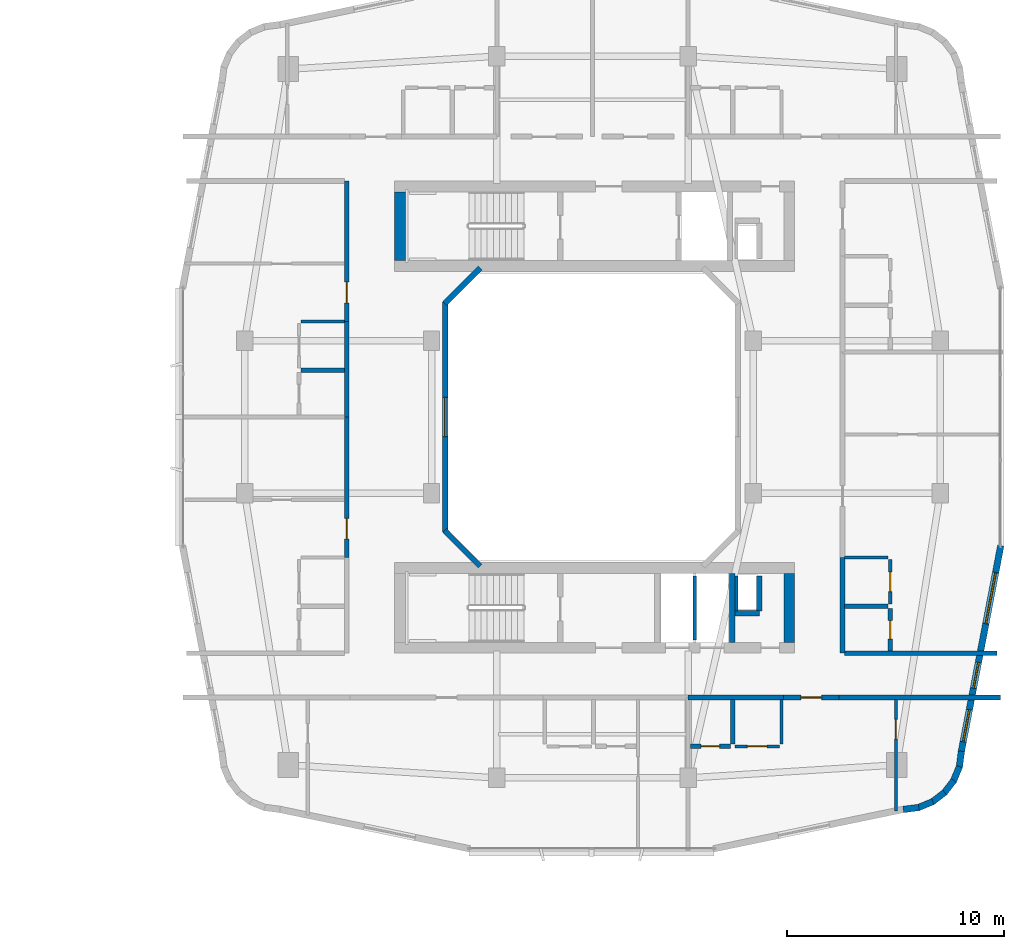
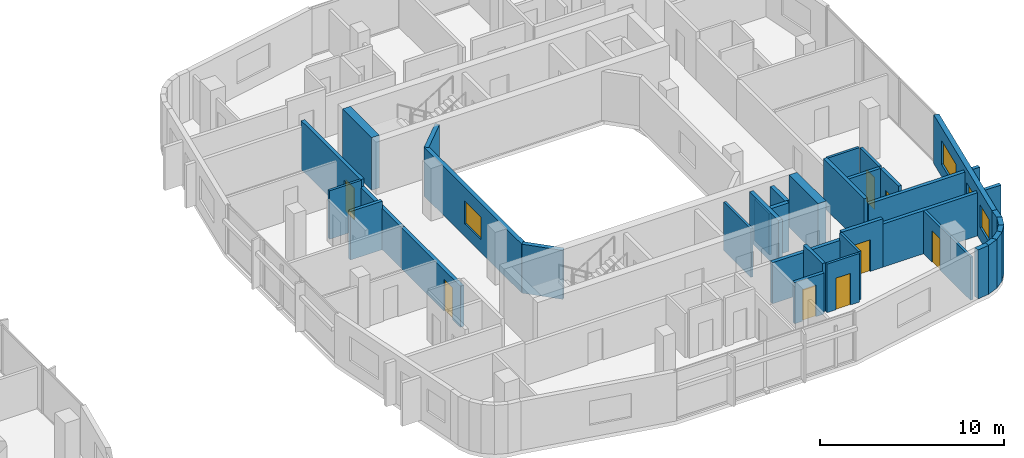
# One storey, part 18 of 26: 36 walls, 8 doors, 4 windows, 12 openings.
"""IFC4 building model written with IfcOpenShell, lengths in metres."""

from ifc_helpers import new_model, si_unit, derived_unit, direction, frame, frame_2d, origin, place, context, subcontext, project, spatial, rectangle, extrude, material, layer, layer_set, type_object, element, fill, save


model = new_model("IFC4")

# Units and contexts
model_context = context("Model", 3, precision=1e-05, world=origin(), true_north=direction((0.0, 1.0)))
body_context = subcontext(model_context, "Body", "Model", "MODEL_VIEW")
ifc_project = project(units=[si_unit("LENGTHUNIT", "METRE"), si_unit("AREAUNIT", "SQUARE_METRE"), si_unit("VOLUMEUNIT", "CUBIC_METRE"), si_unit("PLANEANGLEUNIT", "RADIAN"), si_unit("MASSUNIT", "GRAM", prefix="KILO"), derived_unit("THERMALTRANSMITTANCEUNIT", [(si_unit("POWERUNIT", "WATT"), 1), (si_unit("LENGTHUNIT", "METRE"), -2), (si_unit("THERMODYNAMICTEMPERATUREUNIT", "KELVIN"), -1)])], contexts=[model_context])

# Site, building, storey
site_placement = place(None, origin())
site = spatial("IfcSite", under=ifc_project, at=site_placement, CompositionType="ELEMENT")
building_placement = place(site_placement, origin())
building = spatial("IfcBuilding", under=site, at=building_placement, Name="Kivonza Crest Hotel", CompositionType="ELEMENT")
storey_placement = place(building_placement, frame((0.0, 0.0, 66.0)))
storey = spatial("IfcBuildingStorey", under=building, at=storey_placement, Name="L17", CompositionType="ELEMENT", Elevation=66.0)

# Walls
ifc_material_1 = material(Name="Autoclaved aerated concrete blockwork", Category="masonry")
ifc_layer_1 = layer(ifc_material_1, 0.219970703125)
ifc_layer_set_1 = layer_set([ifc_layer_1], Name="Autoclaved aerated concrete blockwork")
wall_type_1 = type_object("IfcWallType", Name="WL-ACOU-220", PredefinedType="SOLIDWALL", material=ifc_layer_set_1)
wall_1_placement = place(storey_placement, frame((81.39990234375, 12.10009765625, 0.0), z_axis=(0.0, 0.0, 1.0), x_axis=(1.0, 0.0, 0.0)))
element("IfcWall", 1, at=wall_1_placement, inside=storey, type_object=wall_type_1, Name="L17 interior partition WA-L17-A04-LCORR", PredefinedType="SOLIDWALL", context=body_context, shape_type="SweptSolid", body=[
    extrude(rectangle(XDim=4.380126953125, YDim=0.219970703125, at=frame_2d((2.18994140625, 0.0))), origin(), (0.0, 0.0, 1.0), 2.72509765625),
])
wall_2_placement = place(storey_placement, frame((88.35009765625, 12.10009765625, 0.0), z_axis=(0.0, 0.0, 1.0), x_axis=(1.0, 0.0, 0.0)))
element("IfcWall", 2, at=wall_2_placement, inside=storey, type_object=wall_type_1, Name="L17 interior partition WA-L17-A04-RCORR", PredefinedType="SOLIDWALL", context=body_context, shape_type="SweptSolid", body=[
    extrude(rectangle(XDim=7.409912109375, YDim=0.219970703125, at=frame_2d((3.705078125, 0.0))), origin(), (0.0, 0.0, 1.0), 2.864990234375),
])

# Wall, opening, door
wall_3_placement = place(storey_placement, frame((85.780029296875, 12.10009765625, 0.0), z_axis=(0.0, 0.0, 1.0), x_axis=(1.0, 0.0, 0.0)))
wall_3 = element("IfcWall", 3, at=wall_3_placement, inside=storey, type_object=wall_type_1, Name="L17 interior partition WA-L17-A04-MCORR", PredefinedType="SOLIDWALL", context=body_context, shape_type="SweptSolid", body=[
    extrude(rectangle(XDim=2.570068359375, YDim=0.219970703125, at=frame_2d((1.28515625, 0.0))), origin(), (0.0, 0.0, 1.0), 3.219970703125),
])
opening_1_placement = place(wall_3_placement, frame((0.81005859375, 0.0, 0.0)))
opening_1 = element("IfcOpeningElement", 4, at=opening_1_placement, cuts=wall_3, Name="Opening DU-60", PredefinedType="OPENING", context=body_context, shape_type="SweptSolid", body=[
    extrude(rectangle(XDim=0.949951171875, YDim=2.10009765625, at=frame_2d((0.47509765625, 1.050048828125))), frame((0.0, 0.1201171875, 0.0), z_axis=(0.0, -1.0, 0.0), x_axis=(1.0, 0.0, 0.0)), (0.0, 0.0, 1.0), 0.239990234375),
])
ifc_material_2 = material(Name="Hardwood timber oak", Category="wood")
door_type_1 = type_object("IfcDoorType", Name="DR-UNIT-950", OperationType="NOTDEFINED", PredefinedType="DOOR", material=ifc_material_2)
door_1_placement = place(opening_1_placement, frame((0.949951171875, 0.0, 0.0), z_axis=(0.0, 0.0, 1.0), x_axis=(-1.0, 0.0, 0.0)))
door_1 = element("IfcDoor", 5, at=door_1_placement, inside=storey, type_object=door_type_1, Name="L17 A04 apartment entrance fire door", OperationType="SINGLE_SWING_RIGHT", OverallHeight=2.10009765625, OverallWidth=0.949951171875, PredefinedType="DOOR", context=body_context, shape_type="SweptSolid", body=[
    extrude(rectangle(XDim=0.949951171875, YDim=2.10009765625, at=frame_2d((0.47509765625, 1.050048828125))), frame((0.0, 0.02490234375, 0.0), z_axis=(0.0, -1.0, 0.0), x_axis=(1.0, 0.0, 0.0)), (0.0, 0.0, 1.0), 0.050048828125),
])
fill(opening_1, door_1)

wall_4_placement = place(storey_placement, frame((65.699951171875, 18.5400390625, 0.0), z_axis=(0.0, 0.0, 1.0), x_axis=(0.0, 1.0, 0.0)))
wall_4 = element("IfcWall", 6, at=wall_4_placement, inside=storey, type_object=wall_type_1, Name="L17 interior partition WA-L17-A05-MCORR", PredefinedType="SOLIDWALL", context=body_context, shape_type="SweptSolid", body=[
    extrude(rectangle(XDim=6.4599609375, YDim=0.219970703125, at=frame_2d((3.22998046875, 0.0))), origin(), (0.0, 0.0, 1.0), 2.72509765625),
])
opening_2_placement = place(wall_4_placement, frame((0.85498046875, 0.0, 0.0)))
opening_2 = element("IfcOpeningElement", 7, at=opening_2_placement, cuts=wall_4, Name="Opening DU-60", PredefinedType="OPENING", context=body_context, shape_type="SweptSolid", body=[
    extrude(rectangle(XDim=0.949951171875, YDim=2.10009765625, at=frame_2d((0.47509765625, 1.050048828125))), frame((0.0, 0.1201171875, 0.0), z_axis=(0.0, -1.0, 0.0), x_axis=(1.0, 0.0, 0.0)), (0.0, 0.0, 1.0), 0.239990234375),
])
door_2_placement = place(opening_2_placement, origin())
door_2 = element("IfcDoor", 8, at=door_2_placement, inside=storey, type_object=door_type_1, Name="L17 A05 apartment entrance fire door", OperationType="SINGLE_SWING_LEFT", OverallHeight=2.10009765625, OverallWidth=0.949951171875, PredefinedType="DOOR", context=body_context, shape_type="SweptSolid", body=[
    extrude(rectangle(XDim=0.949951171875, YDim=2.10009765625, at=frame_2d((0.47509765625, 1.050048828125))), frame((0.0, 0.02490234375, 0.0), z_axis=(0.0, -1.0, 0.0), x_axis=(1.0, 0.0, 0.0)), (0.0, 0.0, 1.0), 0.050048828125),
])
fill(opening_2, door_2)

# Wall
wall_5_placement = place(storey_placement, frame((65.699951171875, 25.0, 0.0), z_axis=(0.0, 0.0, 1.0), x_axis=(0.0, 1.0, 0.0)))
element("IfcWall", 9, at=wall_5_placement, inside=storey, type_object=wall_type_1, Name="L17 interior partition WA-L17-A06-BCORR", PredefinedType="SOLIDWALL", context=body_context, shape_type="SweptSolid", body=[
    extrude(rectangle(XDim=4.39990234375, YDim=0.219970703125, at=frame_2d((2.199951171875, 0.0))), origin(), (0.0, 0.0, 1.0), 2.72509765625),
])

# Wall, opening, door
wall_6_placement = place(storey_placement, frame((65.699951171875, 29.39990234375, 0.0), z_axis=(0.0, 0.0, 1.0), x_axis=(0.0, 1.0, 0.0)))
wall_6 = element("IfcWall", 10, at=wall_6_placement, inside=storey, type_object=wall_type_1, Name="L17 interior partition WA-L17-A06-MCORR", PredefinedType="SOLIDWALL", context=body_context, shape_type="SweptSolid", body=[
    extrude(rectangle(XDim=6.460205078125, YDim=0.219970703125, at=frame_2d((3.22998046875, 0.0))), origin(), (0.0, 0.0, 1.0), 3.219970703125),
])
opening_3_placement = place(wall_6_placement, frame((0.85498046875, 0.0, 0.0)))
opening_3 = element("IfcOpeningElement", 11, at=opening_3_placement, cuts=wall_6, Name="Opening DU-60", PredefinedType="OPENING", context=body_context, shape_type="SweptSolid", body=[
    extrude(rectangle(XDim=0.949951171875, YDim=2.10009765625, at=frame_2d((0.47509765625, 1.050048828125))), frame((0.0, 0.1201171875, 0.0), z_axis=(0.0, -1.0, 0.0), x_axis=(1.0, 0.0, 0.0)), (0.0, 0.0, 1.0), 0.239990234375),
])
door_3_placement = place(opening_3_placement, origin())
door_3 = element("IfcDoor", 12, at=door_3_placement, inside=storey, type_object=door_type_1, Name="L17 A06 apartment entrance fire door", OperationType="SINGLE_SWING_RIGHT", OverallHeight=2.10009765625, OverallWidth=0.949951171875, PredefinedType="DOOR", context=body_context, shape_type="SweptSolid", body=[
    extrude(rectangle(XDim=0.949951171875, YDim=2.10009765625, at=frame_2d((0.47509765625, 1.050048828125))), frame((0.0, 0.02490234375, 0.0), z_axis=(0.0, -1.0, 0.0), x_axis=(1.0, 0.0, 0.0)), (0.0, 0.0, 1.0), 0.050048828125),
])
fill(opening_3, door_3)

# Walls
wall_7_placement = place(storey_placement, frame((88.60009765625, 14.139892578125, 0.0), z_axis=(0.0, 0.0, 1.0), x_axis=(1.0, 0.0, 0.0)))
element("IfcWall", 13, at=wall_7_placement, inside=storey, type_object=wall_type_1, Name="L17 interior partition WA-L17-T2E-ENDS", PredefinedType="SOLIDWALL", context=body_context, shape_type="SweptSolid", body=[
    extrude(rectangle(XDim=7.0, YDim=0.219970703125, at=frame_2d((3.5, 0.0))), origin(), (0.0, 0.0, 1.0), 2.864990234375),
])
wall_8_placement = place(storey_placement, frame((88.5, 14.139892578125, 0.0), z_axis=(0.0, 0.0, 1.0), x_axis=(0.0, 1.0, 0.0)))
element("IfcWall", 14, at=wall_8_placement, inside=storey, type_object=wall_type_1, Name="L17 interior partition WA-L17-A07-BCORR", PredefinedType="SOLIDWALL", context=body_context, shape_type="SweptSolid", body=[
    extrude(rectangle(XDim=4.400146484375, YDim=0.219970703125, at=frame_2d((2.2001953125, 0.0))), origin(), (0.0, 0.0, 1.0), 3.219970703125),
])
ifc_material_3 = material(Name="Concrete C60/75", Category="concrete")
ifc_layer_2 = layer(ifc_material_3, 0.5)
ifc_layer_set_2 = layer_set([ifc_layer_2], Name="Concrete C60/75")
wall_type_2 = type_object("IfcWallType", Name="WL-CORE-500", PredefinedType="SHEAR", material=ifc_layer_set_2)
for number, where, z_axis, x_axis, name in (
    (15, (68.14990234375, 32.199951171875, 0.0), (0.0, 0.0, 1.0), (0.0, 1.0, 0.0), "Core wall T2-N West L17"),
    (16, (86.050048828125, 14.639892578125, 0.0), (0.0, 0.0, 1.0), (0.0, 1.0, 0.0), "Core wall T2-S East L17"),
):
    element("IfcWall", number, at=place(storey_placement, frame(where, z_axis=z_axis, x_axis=x_axis)), inside=storey, type_object=wall_type_2, Name=name, PredefinedType="SHEAR", context=body_context, shape_type="SweptSolid", body=[
        extrude(rectangle(XDim=3.16015625, YDim=0.5, at=frame_2d((1.580078125, 0.0))), origin(), (0.0, 0.0, 1.0), 3.5),
    ])
ifc_material_4 = material(Name="Precast concrete C40/50", Category="concrete")
ifc_layer_3 = layer(ifc_material_4, 0.260009765625)
ifc_layer_set_3 = layer_set([ifc_layer_3], Name="Precast concrete C40/50")
wall_type_3 = type_object("IfcWallType", Name="WL-EXT-260", PredefinedType="STANDARD", material=ifc_layer_set_3)
wall_9_placement = place(storey_placement, frame((71.837890625, 31.862060546875, 0.0), z_axis=(0.0, 0.0, 1.0), x_axis=(-0.707053950914, -0.707159607512, 0.0)))
element("IfcWall", 17, at=wall_9_placement, inside=storey, type_object=wall_type_3, Name="L17 T2 light-well exterior wall 6", PredefinedType="STANDARD", context=body_context, shape_type="SweptSolid", body=[
    extrude(rectangle(XDim=2.310791015625, YDim=0.260009765625, at=frame_2d((1.1552734375, 0.0))), origin(), (0.0, 0.0, 1.0), 3.25),
])

# Wall, opening, window
wall_10_placement = place(storey_placement, frame((70.22998046875, 30.2900390625, 0.0), z_axis=(0.0, 0.0, 1.0), x_axis=(0.0, -1.0, 0.0)))
wall_10 = element("IfcWall", 18, at=wall_10_placement, inside=storey, type_object=wall_type_3, Name="L17 T2 light-well exterior wall 7", PredefinedType="STANDARD", context=body_context, shape_type="SweptSolid", body=[
    extrude(rectangle(XDim=10.580078125, YDim=0.260009765625, at=frame_2d((5.2900390625, 0.0))), origin(), (0.0, 0.0, 1.0), 3.25),
])
opening_4_placement = place(wall_10_placement, frame((4.389892578125, 0.0, 0.85009765625)))
opening_4 = element("IfcOpeningElement", 19, at=opening_4_placement, cuts=wall_10, Name="Opening WN-03", PredefinedType="OPENING", context=body_context, shape_type="SweptSolid", body=[
    extrude(rectangle(XDim=1.800048828125, YDim=1.5, at=frame_2d((0.89990234375, 0.75))), frame((0.0, 0.14013671875, 0.0), z_axis=(0.0, -1.0, 0.0), x_axis=(1.0, 0.0, 0.0)), (0.0, 0.0, 1.0), 0.280029296875),
])
ifc_material_5 = material(Name="Thermally broken bronze aluminium and low-E double glazing", Category="aluminium")
window_type_1 = type_object("IfcWindowType", Name="WN-180x150", PartitioningType="DOUBLE_PANEL_VERTICAL", PredefinedType="WINDOW", material=ifc_material_5)
window_1_placement = place(opening_4_placement, origin())
window_1 = element("IfcWindow", 20, at=window_1_placement, inside=storey, type_object=window_type_1, Name="L17 T2 light-well window 7", OverallHeight=1.5, OverallWidth=1.800048828125, PartitioningType="SINGLE_PANEL", PredefinedType="WINDOW", context=body_context, shape_type="SweptSolid", body=[
    extrude(rectangle(XDim=1.800048828125, YDim=1.5, at=frame_2d((0.89990234375, 0.75))), frame((0.0, 0.030029296875, 0.0), z_axis=(0.0, -1.0, 0.0), x_axis=(1.0, 0.0, 0.0)), (0.0, 0.0, 1.0), 0.06005859375),
])
fill(opening_4, window_1)

# Walls
wall_11_placement = place(storey_placement, frame((70.2041015625, 19.77197265625, 0.0), z_axis=(0.0, 0.0, 1.0), x_axis=(0.707053950914, -0.707159607512, 0.0)))
element("IfcWall", 21, at=wall_11_placement, inside=storey, type_object=wall_type_3, Name="L17 T2 light-well exterior wall 8", PredefinedType="STANDARD", context=body_context, shape_type="SweptSolid", body=[
    extrude(rectangle(XDim=2.310791015625, YDim=0.260009765625, at=frame_2d((1.1552734375, 0.0))), origin(), (0.0, 0.0, 1.0), 3.25),
])
ifc_layer_4 = layer(ifc_material_4, 0.300048828125)
ifc_layer_set_4 = layer_set([ifc_layer_4], Name="Precast concrete C40/50")
wall_type_4 = type_object("IfcWallType", Name="WL-EXT-300", PredefinedType="STANDARD", material=ifc_layer_set_4)
wall_12_placement = place(storey_placement, frame((91.29296875, 6.947998046875, 0.0), z_axis=(0.0, 0.0, 1.0), x_axis=(0.991486167159, 0.13021205909, 0.0)))
element("IfcWall", 22, at=wall_12_placement, inside=storey, type_object=wall_type_4, Name="L17 T2 exterior insulated wall 10", PredefinedType="STANDARD", context=body_context, shape_type="SweptSolid", body=[
    extrude(rectangle(XDim=0.729248046875, YDim=0.300048828125, at=frame_2d((0.36474609375, 0.0))), origin(), (0.0, 0.0, 1.0), 3.25),
])
for number, where, z_axis, x_axis, name in (
    (23, (91.965087890625, 7.02392578125, 0.0), (0.0, 0.0, 1.0), (0.923521684703, 0.383546213491, 0.0), "L17 T2 exterior insulated wall 11"),
    (24, (92.60888671875, 7.279052734375, 0.0), (0.0, 0.0, 1.0), (0.79363269798, 0.608397189915, 0.0), "L17 T2 exterior insulated wall 12"),
    (25, (93.166015625, 7.69091796875, 0.0), (0.0, 0.0, 1.0), (0.608603261071, 0.793474681772, 0.0), "L17 T2 exterior insulated wall 13"),
):
    element("IfcWall", number, at=place(storey_placement, frame(where, z_axis=z_axis, x_axis=x_axis)), inside=storey, type_object=wall_type_4, Name=name, PredefinedType="STANDARD", context=body_context, shape_type="SweptSolid", body=[
        extrude(rectangle(XDim=0.74609375, YDim=0.300048828125, at=frame_2d((0.373046875, 0.0))), origin(), (0.0, 0.0, 1.0), 3.25),
    ])
wall_13_placement = place(storey_placement, frame((93.595947265625, 8.23388671875, 0.0), z_axis=(0.0, 0.0, 1.0), x_axis=(0.383430326427, 0.923569805037, 0.0)))
element("IfcWall", 26, at=wall_13_placement, inside=storey, type_object=wall_type_4, Name="L17 T2 exterior insulated wall 14", PredefinedType="STANDARD", context=body_context, shape_type="SweptSolid", body=[
    extrude(rectangle(XDim=0.746337890625, YDim=0.300048828125, at=frame_2d((0.373046875, 0.0))), origin(), (0.0, 0.0, 1.0), 3.25),
])
wall_14_placement = place(storey_placement, frame((93.873046875, 8.868896484375, 0.0), z_axis=(0.0, 0.0, 1.0), x_axis=(0.129339184068, 0.991600411186, 0.0)))
element("IfcWall", 27, at=wall_14_placement, inside=storey, type_object=wall_type_4, Name="L17 T2 exterior insulated wall 15", PredefinedType="STANDARD", context=body_context, shape_type="SweptSolid", body=[
    extrude(rectangle(XDim=0.764404296875, YDim=0.300048828125, at=frame_2d((0.38232421875, 0.0))), origin(), (0.0, 0.0, 1.0), 3.25),
])

# Wall, openings, windows
wall_15_placement = place(storey_placement, frame((93.970947265625, 9.6201171875, 0.0), z_axis=(0.0, 0.0, 1.0), x_axis=(0.188087874316, 0.982152203854, 0.0)))
wall_15 = element("IfcWall", 28, at=wall_15_placement, inside=storey, type_object=wall_type_4, Name="L17 T2 exterior insulated wall 16", PredefinedType="STANDARD", context=body_context, shape_type="SweptSolid", body=[
    extrude(rectangle(XDim=9.6337890625, YDim=0.300048828125, at=frame_2d((4.81689453125, 0.0))), origin(), (0.0, 0.0, 1.0), 3.25),
])
opening_5_placement = place(wall_15_placement, frame((0.451904296875, 0.0, 0.85009765625)))
opening_5 = element("IfcOpeningElement", 29, at=opening_5_placement, cuts=wall_15, Name="Opening WN-02", PredefinedType="OPENING", context=body_context, shape_type="SweptSolid", body=[
    extrude(rectangle(XDim=1.5, YDim=1.5, at=frame_2d((0.75, 0.75))), frame((0.0, 0.16015625, 0.0), z_axis=(0.0, -1.0, 0.0), x_axis=(1.0, 0.0, 0.0)), (0.0, 0.0, 1.0), 0.320068359375),
])
opening_6_placement = place(wall_15_placement, frame((2.964111328125, 0.0, 0.85009765625)))
opening_6 = element("IfcOpeningElement", 30, at=opening_6_placement, cuts=wall_15, Name="Opening WN-01", PredefinedType="OPENING", context=body_context, shape_type="SweptSolid", body=[
    extrude(rectangle(XDim=1.199951171875, YDim=1.5, at=frame_2d((0.60009765625, 0.75))), frame((0.0, 0.16015625, 0.0), z_axis=(0.0, -1.0, 0.0), x_axis=(1.0, 0.0, 0.0)), (0.0, 0.0, 1.0), 0.320068359375),
])
opening_7_placement = place(wall_15_placement, frame((5.97900390625, 0.0, 0.800048828125)))
opening_7 = element("IfcOpeningElement", 31, at=opening_7_placement, cuts=wall_15, Name="Opening WN-05", PredefinedType="OPENING", context=body_context, shape_type="SweptSolid", body=[
    extrude(rectangle(XDim=2.39990234375, YDim=1.60009765625, at=frame_2d((1.199951171875, 0.800048828125))), frame((0.0, 0.16015625, 0.0), z_axis=(0.0, -1.0, 0.0), x_axis=(1.0, 0.0, 0.0)), (0.0, 0.0, 1.0), 0.320068359375),
])
window_type_2 = type_object("IfcWindowType", Name="WN-120x150", PartitioningType="SINGLE_PANEL", PredefinedType="WINDOW", material=ifc_material_5)
window_2_placement = place(opening_6_placement, origin())
window_2 = element("IfcWindow", 32, at=window_2_placement, inside=storey, type_object=window_type_2, Name="L17 T2 facade window 16 bay 2", OverallHeight=1.5, OverallWidth=1.199951171875, PartitioningType="SINGLE_PANEL", PredefinedType="WINDOW", context=body_context, shape_type="SweptSolid", body=[
    extrude(rectangle(XDim=1.199951171875, YDim=1.5, at=frame_2d((0.60009765625, 0.75))), frame((0.0, 0.030029296875, 0.0), z_axis=(0.0, -1.0, 0.0), x_axis=(1.0, 0.0, 0.0)), (0.0, 0.0, 1.0), 0.06005859375),
])
fill(opening_6, window_2)
window_type_3 = type_object("IfcWindowType", Name="WN-150x150", PartitioningType="DOUBLE_PANEL_VERTICAL", PredefinedType="WINDOW", material=ifc_material_5)
window_3_placement = place(opening_5_placement, origin())
window_3 = element("IfcWindow", 33, at=window_3_placement, inside=storey, type_object=window_type_3, Name="L17 T2 facade window 16 bay 1", OverallHeight=1.5, OverallWidth=1.5, PartitioningType="SINGLE_PANEL", PredefinedType="WINDOW", context=body_context, shape_type="SweptSolid", body=[
    extrude(rectangle(XDim=1.5, YDim=1.5, at=frame_2d((0.75, 0.75))), frame((0.0, 0.030029296875, 0.0), z_axis=(0.0, -1.0, 0.0), x_axis=(1.0, 0.0, 0.0)), (0.0, 0.0, 1.0), 0.06005859375),
])
fill(opening_5, window_3)
window_type_4 = type_object("IfcWindowType", Name="WN-240x160", PartitioningType="TRIPLE_PANEL_VERTICAL", PredefinedType="WINDOW", material=ifc_material_5)
window_4_placement = place(opening_7_placement, origin())
window_4 = element("IfcWindow", 34, at=window_4_placement, inside=storey, type_object=window_type_4, Name="L17 T2 facade window 16 bay 3", OverallHeight=1.60009765625, OverallWidth=2.39990234375, PartitioningType="SINGLE_PANEL", PredefinedType="WINDOW", context=body_context, shape_type="SweptSolid", body=[
    extrude(rectangle(XDim=2.39990234375, YDim=1.60009765625, at=frame_2d((1.199951171875, 0.800048828125))), frame((0.0, 0.030029296875, 0.0), z_axis=(0.0, -1.0, 0.0), x_axis=(1.0, 0.0, 0.0)), (0.0, 0.0, 1.0), 0.06005859375),
])
fill(opening_7, window_4)

# Walls
ifc_material_6 = material(Name="Concrete blockwork fire-compartment wall", Category="masonry")
ifc_layer_5 = layer(ifc_material_6, 0.25)
ifc_layer_set_5 = layer_set([ifc_layer_5], Name="Concrete blockwork fire-compartment wall")
wall_type_5 = type_object("IfcWallType", Name="WL-FIRE-250", PredefinedType="SOLIDWALL", material=ifc_layer_set_5)
wall_16_placement = place(storey_placement, frame((84.679931640625, 16.080078125, 0.0), z_axis=(0.0, 0.0, 1.0), x_axis=(0.0, 1.0, 0.0)))
element("IfcWall", 35, at=wall_16_placement, inside=storey, type_object=wall_type_5, Name="L17 interior partition WA-L17-T2-S-MEPR-E", PredefinedType="SOLIDWALL", context=body_context, shape_type="SweptSolid", body=[
    extrude(rectangle(XDim=1.619873046875, YDim=0.25, at=frame_2d((0.81005859375, 0.0))), origin(), (0.0, 0.0, 1.0), 3.219970703125),
])
wall_17_placement = place(storey_placement, frame((83.550048828125, 15.97998046875, 0.0), z_axis=(0.0, 0.0, 1.0), x_axis=(1.0, 0.0, 0.0)))
element("IfcWall", 36, at=wall_17_placement, inside=storey, type_object=wall_type_5, Name="L17 interior partition WA-L17-T2-S-MEPR-H", PredefinedType="SOLIDWALL", context=body_context, shape_type="SweptSolid", body=[
    extrude(rectangle(XDim=1.1298828125, YDim=0.25, at=frame_2d((0.56494140625, 0.0))), origin(), (0.0, 0.0, 1.0), 3.219970703125),
])
ifc_material_7 = material(Name="Twin-stud acoustic gypsum board partition", Category="gypsum")
ifc_layer_6 = layer(ifc_material_7, 0.14990234375)
ifc_layer_set_6 = layer_set([ifc_layer_6], Name="Twin-stud acoustic gypsum board partition")
wall_type_6 = type_object("IfcWallType", Name="WL-PART-150", PredefinedType="PARTITIONING", material=ifc_layer_set_6)
wall_18_placement = place(storey_placement, frame((83.6298828125, 16.080078125, 0.0), z_axis=(0.0, 0.0, 1.0), x_axis=(0.0, 1.0, 0.0)))
element("IfcWall", 37, at=wall_18_placement, inside=storey, type_object=wall_type_6, Name="L17 interior partition WA-L17-T2-S-MEPR-W", PredefinedType="PARTITIONING", context=body_context, shape_type="SweptSolid", body=[
    extrude(rectangle(XDim=1.619873046875, YDim=0.14990234375, at=frame_2d((0.81005859375, 0.0))), origin(), (0.0, 0.0, 1.0), 2.72509765625),
])
wall_19_placement = place(storey_placement, frame((81.699951171875, 14.739990234375, 0.0), z_axis=(0.0, 0.0, 1.0), x_axis=(0.0, 1.0, 0.0)))
element("IfcWall", 38, at=wall_19_placement, inside=storey, type_object=wall_type_6, Name="L17 interior partition WP-L17-T2-S-BSH-1", PredefinedType="PARTITIONING", context=body_context, shape_type="SweptSolid", body=[
    extrude(rectangle(XDim=2.9599609375, YDim=0.14990234375, at=frame_2d((1.47998046875, 0.0))), origin(), (0.0, 0.0, 1.0), 3.219970703125),
])

# Wall, opening, door
wall_20_placement = place(storey_placement, frame((90.9599609375, 6.886962890625, 0.0), z_axis=(0.0, 0.0, 1.0), x_axis=(0.0, 1.0, 0.0)))
wall_20 = element("IfcWall", 39, at=wall_20_placement, inside=storey, type_object=wall_type_6, Name="L17 interior partition WP-L17-A04-BDW1", PredefinedType="PARTITIONING", context=body_context, shape_type="SweptSolid", body=[
    extrude(rectangle(XDim=5.113037109375, YDim=0.14990234375, at=frame_2d((2.556640625, 0.0))), origin(), (0.0, 0.0, 1.0), 2.864990234375),
])
opening_8_placement = place(wall_20_placement, frame((3.31005859375, 0.0, 0.0)))
opening_8 = element("IfcOpeningElement", 40, at=opening_8_placement, cuts=wall_20, Name="Opening DI-90", PredefinedType="OPENING", context=body_context, shape_type="SweptSolid", body=[
    extrude(rectangle(XDim=0.89990234375, YDim=2.10009765625, at=frame_2d((0.449951171875, 1.050048828125))), frame((0.0, 0.0849609375, 0.0), z_axis=(0.0, -1.0, 0.0), x_axis=(1.0, 0.0, 0.0)), (0.0, 0.0, 1.0), 0.169921875),
])
door_type_2 = type_object("IfcDoorType", Name="DR-INT-900", OperationType="NOTDEFINED", PredefinedType="DOOR", material=ifc_material_2)
door_4_placement = place(opening_8_placement, origin())
door_4 = element("IfcDoor", 41, at=door_4_placement, inside=storey, type_object=door_type_2, Name="L17 A04 bedroom 1 door", OperationType="SINGLE_SWING_LEFT", OverallHeight=2.10009765625, OverallWidth=0.89990234375, PredefinedType="DOOR", context=body_context, shape_type="SweptSolid", body=[
    extrude(rectangle(XDim=0.89990234375, YDim=2.10009765625, at=frame_2d((0.449951171875, 1.050048828125))), frame((0.0, 0.02490234375, 0.0), z_axis=(0.0, -1.0, 0.0), x_axis=(1.0, 0.0, 0.0)), (0.0, 0.0, 1.0), 0.050048828125),
])
fill(opening_8, door_4)

# Wall
wall_21_placement = place(storey_placement, frame((85.699951171875, 9.949951171875, 0.0), z_axis=(0.0, 0.0, 1.0), x_axis=(0.0, 1.0, 0.0)))
element("IfcWall", 42, at=wall_21_placement, inside=storey, type_object=wall_type_6, Name="L17 interior partition WP-L17-A04-KF", PredefinedType="PARTITIONING", context=body_context, shape_type="SweptSolid", body=[
    extrude(rectangle(XDim=2.050048828125, YDim=0.14990234375, at=frame_2d((1.02490234375, 0.0))), origin(), (0.0, 0.0, 1.0), 3.219970703125),
])

# Wall, opening, door
wall_22_placement = place(storey_placement, frame((83.550048828125, 9.85009765625, 0.0), z_axis=(0.0, 0.0, 1.0), x_axis=(1.0, 0.0, 0.0)))
wall_22 = element("IfcWall", 43, at=wall_22_placement, inside=storey, type_object=wall_type_6, Name="L17 interior partition WP-L17-A04-KSVC", PredefinedType="PARTITIONING", context=body_context, shape_type="SweptSolid", body=[
    extrude(rectangle(XDim=2.050048828125, YDim=0.14990234375, at=frame_2d((1.02490234375, 0.0))), origin(), (0.0, 0.0, 1.0), 3.219970703125),
])
opening_9_placement = place(wall_22_placement, frame((0.574951171875, 0.0, 0.0)))
opening_9 = element("IfcOpeningElement", 44, at=opening_9_placement, cuts=wall_22, Name="Opening DI-90", PredefinedType="OPENING", context=body_context, shape_type="SweptSolid", body=[
    extrude(rectangle(XDim=0.89990234375, YDim=2.10009765625, at=frame_2d((0.449951171875, 1.050048828125))), frame((0.0, 0.0849609375, 0.0), z_axis=(0.0, -1.0, 0.0), x_axis=(1.0, 0.0, 0.0)), (0.0, 0.0, 1.0), 0.169921875),
])
door_5_placement = place(opening_9_placement, frame((0.89990234375, 0.0, 0.0), z_axis=(0.0, 0.0, 1.0), x_axis=(-1.0, 0.0, 0.0)))
door_5 = element("IfcDoor", 45, at=door_5_placement, inside=storey, type_object=door_type_2, Name="L17 A04 apartment kitchen door", OperationType="SINGLE_SWING_RIGHT", OverallHeight=2.10009765625, OverallWidth=0.89990234375, PredefinedType="DOOR", context=body_context, shape_type="SweptSolid", body=[
    extrude(rectangle(XDim=0.89990234375, YDim=2.10009765625, at=frame_2d((0.449951171875, 1.050048828125))), frame((0.0, 0.02490234375, 0.0), z_axis=(0.0, -1.0, 0.0), x_axis=(1.0, 0.0, 0.0)), (0.0, 0.0, 1.0), 0.050048828125),
])
fill(opening_9, door_5)

# Walls
for number, where, z_axis, x_axis, name in (
    (46, (63.60009765625, 29.39990234375, 0.0), (0.0, 0.0, 1.0), (1.0, 0.0, 0.0), "L17 interior partition WP-L17-A06-KF"),
    (47, (88.60009765625, 18.5400390625, 0.0), (0.0, 0.0, 1.0), (1.0, 0.0, 0.0), "L17 interior partition WP-L17-A07-KF"),
):
    element("IfcWall", number, at=place(storey_placement, frame(where, z_axis=z_axis, x_axis=x_axis)), inside=storey, type_object=wall_type_6, Name=name, PredefinedType="PARTITIONING", context=body_context, shape_type="SweptSolid", body=[
        extrude(rectangle(XDim=2.0, YDim=0.14990234375, at=frame_2d((1.0, 0.0))), origin(), (0.0, 0.0, 1.0), 3.219970703125),
    ])

# Wall, opening, door
wall_23_placement = place(storey_placement, frame((90.699951171875, 16.389892578125, 0.0), z_axis=(0.0, 0.0, 1.0), x_axis=(0.0, 1.0, 0.0)))
wall_23 = element("IfcWall", 48, at=wall_23_placement, inside=storey, type_object=wall_type_6, Name="L17 interior partition WP-L17-A07-KSVC", PredefinedType="PARTITIONING", context=body_context, shape_type="SweptSolid", body=[
    extrude(rectangle(XDim=2.050048828125, YDim=0.14990234375, at=frame_2d((1.02490234375, 0.0))), origin(), (0.0, 0.0, 1.0), 3.219970703125),
])
opening_10_placement = place(wall_23_placement, frame((0.574951171875, 0.0, 0.0)))
opening_10 = element("IfcOpeningElement", 49, at=opening_10_placement, cuts=wall_23, Name="Opening DI-90", PredefinedType="OPENING", context=body_context, shape_type="SweptSolid", body=[
    extrude(rectangle(XDim=0.89990234375, YDim=2.10009765625, at=frame_2d((0.449951171875, 1.050048828125))), frame((0.0, 0.0849609375, 0.0), z_axis=(0.0, -1.0, 0.0), x_axis=(1.0, 0.0, 0.0)), (0.0, 0.0, 1.0), 0.169921875),
])
door_6_placement = place(opening_10_placement, frame((0.89990234375, 0.0, 0.0), z_axis=(0.0, 0.0, 1.0), x_axis=(-1.0, 0.0, 0.0)))
door_6 = element("IfcDoor", 50, at=door_6_placement, inside=storey, type_object=door_type_2, Name="L17 A07 apartment kitchen door", OperationType="SINGLE_SWING_LEFT", OverallHeight=2.10009765625, OverallWidth=0.89990234375, PredefinedType="DOOR", context=body_context, shape_type="SweptSolid", body=[
    extrude(rectangle(XDim=0.89990234375, YDim=2.10009765625, at=frame_2d((0.449951171875, 1.050048828125))), frame((0.0, 0.02490234375, 0.0), z_axis=(0.0, -1.0, 0.0), x_axis=(1.0, 0.0, 0.0)), (0.0, 0.0, 1.0), 0.050048828125),
])
fill(opening_10, door_6)

# Wall
ifc_material_8 = material(Name="Moisture-resistant plumbing chase partition wall", Category="gypsum")
ifc_layer_7 = layer(ifc_material_8, 0.199951171875)
ifc_layer_set_7 = layer_set([ifc_layer_7], Name="Moisture-resistant plumbing chase partition wall")
wall_type_7 = type_object("IfcWallType", Name="WL-PLUMB-200", PredefinedType="PLUMBINGWALL", material=ifc_layer_set_7)
wall_24_placement = place(storey_placement, frame((83.449951171875, 9.949951171875, 0.0), z_axis=(0.0, 0.0, 1.0), x_axis=(0.0, 1.0, 0.0)))
element("IfcWall", 51, at=wall_24_placement, inside=storey, type_object=wall_type_7, Name="L17 interior partition WW-L17-A04-BK", PredefinedType="PLUMBINGWALL", context=body_context, shape_type="SweptSolid", body=[
    extrude(rectangle(XDim=2.050048828125, YDim=0.199951171875, at=frame_2d((1.02490234375, 0.0))), origin(), (0.0, 0.0, 1.0), 3.219970703125),
])

# Wall, opening, door
wall_25_placement = place(storey_placement, frame((81.5, 9.85009765625, 0.0), z_axis=(0.0, 0.0, 1.0), x_axis=(1.0, 0.0, 0.0)))
wall_25 = element("IfcWall", 52, at=wall_25_placement, inside=storey, type_object=wall_type_7, Name="L17 interior partition WW-L17-A04-BSVC", PredefinedType="PLUMBINGWALL", context=body_context, shape_type="SweptSolid", body=[
    extrude(rectangle(XDim=1.85009765625, YDim=0.199951171875, at=frame_2d((0.925048828125, 0.0))), origin(), (0.0, 0.0, 1.0), 2.72509765625),
])
opening_11_placement = place(wall_25_placement, frame((0.5, 0.0, 0.0)))
opening_11 = element("IfcOpeningElement", 53, at=opening_11_placement, cuts=wall_25, Name="Opening DI-85", PredefinedType="OPENING", context=body_context, shape_type="SweptSolid", body=[
    extrude(rectangle(XDim=0.85009765625, YDim=2.10009765625, at=frame_2d((0.425048828125, 1.050048828125))), frame((0.0, 0.10986328125, 0.0), z_axis=(0.0, -1.0, 0.0), x_axis=(1.0, 0.0, 0.0)), (0.0, 0.0, 1.0), 0.219970703125),
])
door_type_3 = type_object("IfcDoorType", Name="DR-INT-850", OperationType="NOTDEFINED", PredefinedType="DOOR", material=ifc_material_2)
door_7_placement = place(opening_11_placement, frame((0.85009765625, 0.0, 0.0), z_axis=(0.0, 0.0, 1.0), x_axis=(-1.0, 0.0, 0.0)))
door_7 = element("IfcDoor", 54, at=door_7_placement, inside=storey, type_object=door_type_3, Name="L17 A04 apartment bathroom door", OperationType="SINGLE_SWING_LEFT", OverallHeight=2.10009765625, OverallWidth=0.85009765625, PredefinedType="DOOR", context=body_context, shape_type="SweptSolid", body=[
    extrude(rectangle(XDim=0.85009765625, YDim=2.10009765625, at=frame_2d((0.425048828125, 1.050048828125))), frame((0.0, 0.02490234375, 0.0), z_axis=(0.0, -1.0, 0.0), x_axis=(1.0, 0.0, 0.0)), (0.0, 0.0, 1.0), 0.050048828125),
])
fill(opening_11, door_7)

# Walls
for number, where, z_axis, x_axis, name in (
    (55, (63.60009765625, 27.14990234375, 0.0), (0.0, 0.0, 1.0), (1.0, 0.0, 0.0), "L17 interior partition WW-L17-A06-BK"),
    (56, (88.60009765625, 16.2900390625, 0.0), (0.0, 0.0, 1.0), (1.0, 0.0, 0.0), "L17 interior partition WW-L17-A07-BK"),
):
    element("IfcWall", number, at=place(storey_placement, frame(where, z_axis=z_axis, x_axis=x_axis)), inside=storey, type_object=wall_type_7, Name=name, PredefinedType="PLUMBINGWALL", context=body_context, shape_type="SweptSolid", body=[
        extrude(rectangle(XDim=2.0, YDim=0.199951171875, at=frame_2d((1.0, 0.0))), origin(), (0.0, 0.0, 1.0), 3.219970703125),
    ])

# Wall, opening, door
wall_26_placement = place(storey_placement, frame((90.699951171875, 14.239990234375, 0.0), z_axis=(0.0, 0.0, 1.0), x_axis=(0.0, 1.0, 0.0)))
wall_26 = element("IfcWall", 57, at=wall_26_placement, inside=storey, type_object=wall_type_7, Name="L17 interior partition WW-L17-A07-BSVC", PredefinedType="PLUMBINGWALL", context=body_context, shape_type="SweptSolid", body=[
    extrude(rectangle(XDim=1.949951171875, YDim=0.199951171875, at=frame_2d((0.97509765625, 0.0))), origin(), (0.0, 0.0, 1.0), 3.219970703125),
])
opening_12_placement = place(wall_26_placement, frame((0.550048828125, 0.0, 0.0)))
opening_12 = element("IfcOpeningElement", 58, at=opening_12_placement, cuts=wall_26, Name="Opening DI-85", PredefinedType="OPENING", context=body_context, shape_type="SweptSolid", body=[
    extrude(rectangle(XDim=0.85009765625, YDim=2.10009765625, at=frame_2d((0.425048828125, 1.050048828125))), frame((0.0, 0.10986328125, 0.0), z_axis=(0.0, -1.0, 0.0), x_axis=(1.0, 0.0, 0.0)), (0.0, 0.0, 1.0), 0.219970703125),
])
door_8_placement = place(opening_12_placement, frame((0.85009765625, 0.0, 0.0), z_axis=(0.0, 0.0, 1.0), x_axis=(-1.0, 0.0, 0.0)))
door_8 = element("IfcDoor", 59, at=door_8_placement, inside=storey, type_object=door_type_3, Name="L17 A07 apartment bathroom door", OperationType="SINGLE_SWING_RIGHT", OverallHeight=2.10009765625, OverallWidth=0.85009765625, PredefinedType="DOOR", context=body_context, shape_type="SweptSolid", body=[
    extrude(rectangle(XDim=0.85009765625, YDim=2.10009765625, at=frame_2d((0.425048828125, 1.050048828125))), frame((0.0, 0.02490234375, 0.0), z_axis=(0.0, -1.0, 0.0), x_axis=(1.0, 0.0, 0.0)), (0.0, 0.0, 1.0), 0.050048828125),
])
fill(opening_12, door_8)

# Wall
ifc_material_9 = material(Name="Concrete C50/60", Category="concrete")
ifc_layer_8 = layer(ifc_material_9, 0.25)
ifc_layer_set_8 = layer_set([ifc_layer_8], Name="Concrete C50/60")
wall_type_8 = type_object("IfcWallType", Name="WL-SHAFT-250", PredefinedType="STANDARD", material=ifc_layer_set_8)
wall_27_placement = place(storey_placement, frame((83.425048828125, 14.639892578125, 0.0), z_axis=(0.0, 0.0, 1.0), x_axis=(0.0, 1.0, 0.0)))
element("IfcWall", 60, at=wall_27_placement, inside=storey, type_object=wall_type_8, Name="Core shaft wall T2-S BANK-E L17", PredefinedType="STANDARD", context=body_context, shape_type="SweptSolid", body=[
    extrude(rectangle(XDim=3.16015625, YDim=0.25, at=frame_2d((1.580078125, 0.0))), origin(), (0.0, 0.0, 1.0), 3.25),
])

save(model, "model.ifc")
